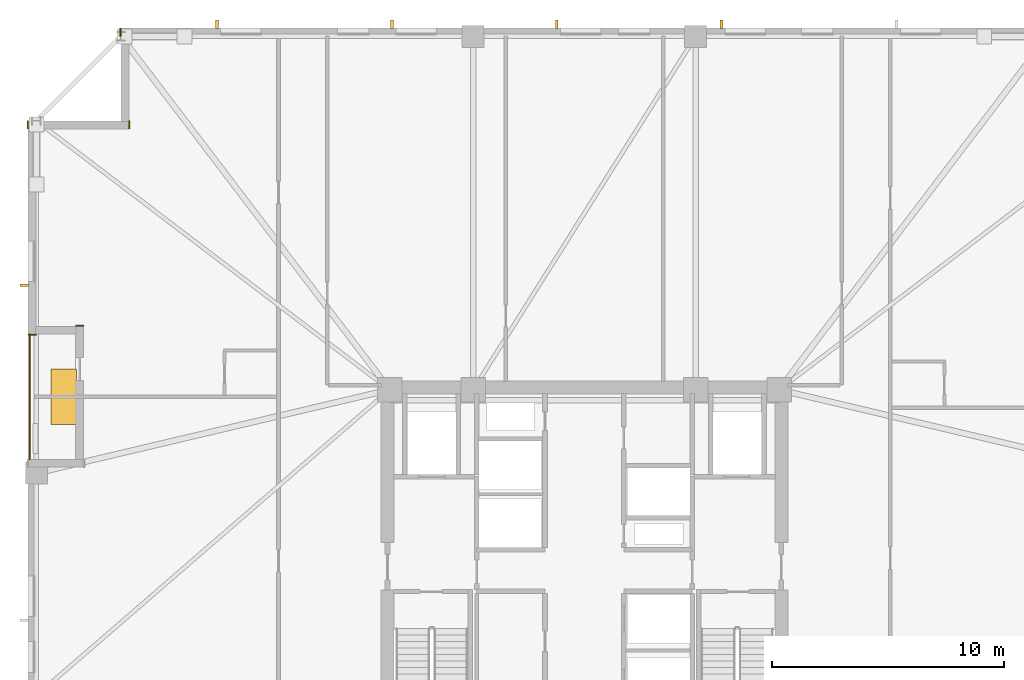
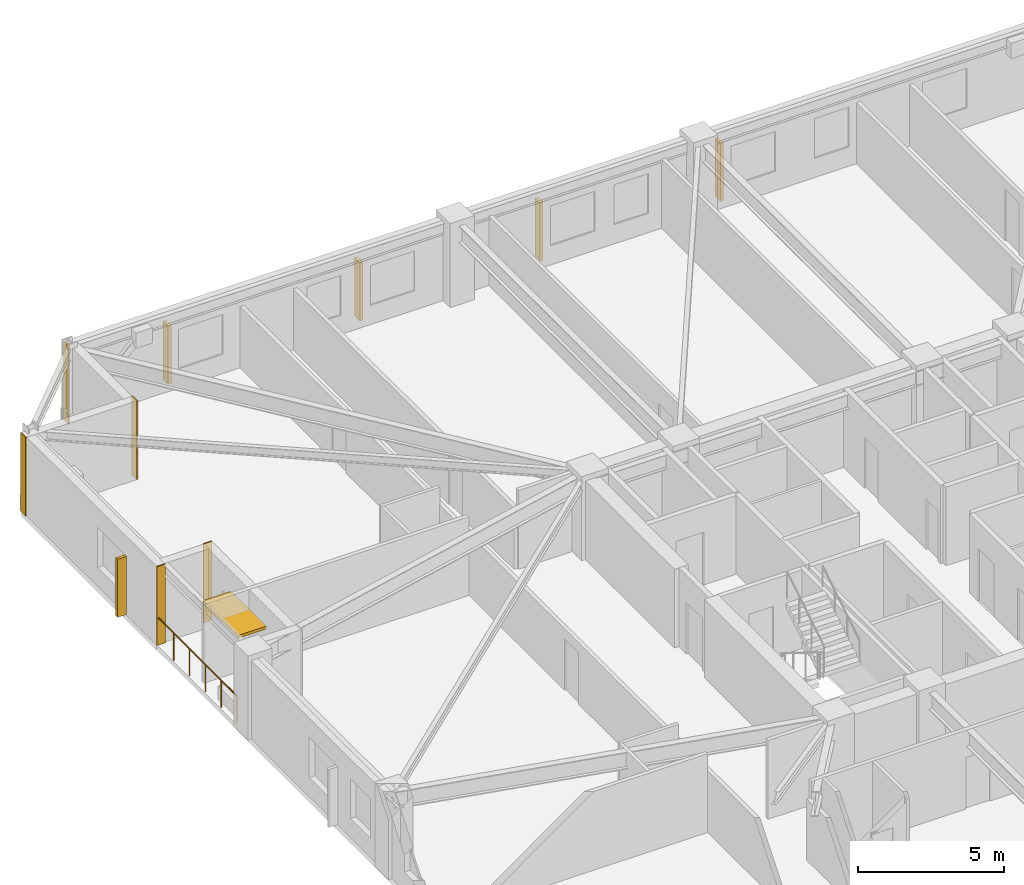
# One storey, part 9 of 10: 6 shading devices, 5 coverings, 1 railing.
"""IFC4 building model written with IfcOpenShell, lengths in metres."""

from ifc_helpers import new_model, si_unit, direction, frame, frame_2d, origin, origin_2d, place, context, subcontext, project, spatial, rectangle, circle, extrude, material, layer, layer_set, type_object, element, save


model = new_model("IFC4")

# Units and contexts
model_context = context("Model", 3, precision=1e-05, world=origin(), true_north=direction((0.0, 1.0)))
body_context = subcontext(model_context, "Body", "Model", "MODEL_VIEW")
ifc_project = project(units=[si_unit("LENGTHUNIT", "METRE"), si_unit("AREAUNIT", "SQUARE_METRE"), si_unit("VOLUMEUNIT", "CUBIC_METRE"), si_unit("PLANEANGLEUNIT", "RADIAN"), si_unit("MASSUNIT", "GRAM", prefix="KILO")], contexts=[model_context])

# Site, building, storey
site_placement = place(None, origin())
site = spatial("IfcSite", under=ifc_project, at=site_placement, CompositionType="ELEMENT")
building_placement = place(site_placement, origin())
building = spatial("IfcBuilding", under=site, at=building_placement, Name="Cairnveth Concourse Tower", CompositionType="ELEMENT")
storey_placement = place(building_placement, frame((0.0, 0.0, 109.5)))
storey = spatial("IfcBuildingStorey", under=building, at=storey_placement, Name="L29", CompositionType="ELEMENT", Elevation=109.5)

# Coverings
ifc_material_1 = material(Name="Dressed Melbourne Bluestone Cladding", Category="masonry")
ifc_layer = layer(ifc_material_1, 0.050048828125)
ifc_layer_set = layer_set([ifc_layer], Name="Dressed Melbourne Bluestone Cladding")
covering_type = type_object("IfcCoveringType", Name="DRESSED BLUESTONE PLINTH CLADDING 50", PredefinedType="CLADDING", material=ifc_layer_set)
for number, where, z_axis, x_axis, name in (
    (1, (28.340087890625, 49.780029296875, 0.0), (0.0, 0.0, 1.0), (-1.0, 0.0, 0.0), "Melbourne Bluestone Corner Quoin L29-403"),
    (2, (27.97998046875, 58.659912109375, 0.0), (0.0, 0.0, 1.0), (0.0, 1.0, 0.0), "Melbourne Bluestone Corner Quoin L29-404"),
    (3, (32.360107421875, 58.659912109375, 0.0), (0.0, 0.0, 1.0), (0.0, 1.0, 0.0), "Melbourne Bluestone Corner Quoin L29-405"),
    (4, (31.97998046875, 62.659912109375, 0.0), (0.0, 0.0, 1.0), (0.0, 1.0, 0.0), "Melbourne Bluestone Corner Quoin L29-406"),
):
    element("IfcCovering", number, at=place(storey_placement, frame(where, z_axis=z_axis, x_axis=x_axis)), inside=storey, type_object=covering_type, Name=name, PredefinedType="CLADDING", context=body_context, shape_type="SweptSolid", body=[
        extrude(rectangle(XDim=0.340087890625, YDim=0.050048828125, at=frame_2d((0.169921875, 0.0))), origin(), (0.0, 0.0, 1.0), 3.280029296875),
    ])
covering_placement = place(storey_placement, frame((30.389892578125, 50.159912109375, 0.0), z_axis=(0.0, 0.0, 1.0), x_axis=(-1.0, 0.0, 0.0)))
element("IfcCovering", 5, at=covering_placement, inside=storey, type_object=covering_type, Name="Melbourne Bluestone Corner Quoin L29-418", PredefinedType="CLADDING", context=body_context, shape_type="SweptSolid", body=[
    extrude(rectangle(XDim=0.33984375, YDim=0.050048828125, at=frame_2d((0.169921875, 0.0))), origin(), (0.0, 0.0, 1.0), 3.280029296875),
])

# Shading devices
ifc_material_2 = material(Name="Architectural Bronze Anodised Aluminium 6063-T6", Category="aluminium")
shading_device_type_1 = type_object("IfcShadingDeviceType", Name="GOTHIC BRONZE VERTICAL LANCET FIN", PredefinedType="USERDEFINED", material=ifc_material_2)
for number, where, z_axis, x_axis, name in (
    (6, (27.824951171875, 51.906005859375, 0.030029296875), (0.0, 0.0, 1.0), (0.0, 1.0, 0.0), "Gothic Bronze Vertical Fin L29-0-1"),
    (7, (36.141845703125, 63.175048828125, 0.030029296875), (0.0, 0.0, 1.0), (1.0, 0.0, 0.0), "Gothic Bronze Vertical Fin L29-3-1"),
    (8, (43.698974609375, 63.175048828125, 0.030029296875), (0.0, 0.0, 1.0), (1.0, 0.0, 0.0), "Gothic Bronze Vertical Fin L29-3-3"),
    (9, (50.805908203125, 63.175048828125, 0.030029296875), (0.0, 0.0, 1.0), (1.0, 0.0, 0.0), "Gothic Bronze Vertical Fin L29-3-5"),
    (10, (57.9130859375, 63.175048828125, 0.030029296875), (0.0, 0.0, 1.0), (1.0, 0.0, 0.0), "Gothic Bronze Vertical Fin L29-3-7"),
):
    element("IfcShadingDevice", number, at=place(storey_placement, frame(where, z_axis=z_axis, x_axis=x_axis)), inside=storey, type_object=shading_device_type_1, Name=name, ObjectType="VERTICAL FIN", PredefinedType="USERDEFINED", context=body_context, shape_type="SweptSolid", body=[
        extrude(rectangle(XDim=0.1201171875, YDim=0.360107421875, at=origin_2d()), origin(), (0.0, 0.0, 1.0), 2.419921875),
    ])
shading_device_type_2 = type_object("IfcShadingDeviceType", Name="SPIRAL TERRACE SUNSHADE CANOPY", PredefinedType="USERDEFINED", material=ifc_material_2)
shading_device_placement = place(storey_placement, frame((29.530029296875, 47.10009765625, 2.300048828125), z_axis=(0.0, 0.0, 1.0), x_axis=(1.0, 0.0, 0.0)))
element("IfcShadingDevice", 11, at=shading_device_placement, inside=storey, type_object=shading_device_type_2, Name="Spiral Terrace Sunshade L29", ObjectType="TERRACE SUNSHADE", PredefinedType="USERDEFINED", context=body_context, shape_type="SweptSolid", body=[
    extrude(rectangle(XDim=1.10009765625, YDim=2.39990234375, at=origin_2d()), origin(), (0.0, 0.0, 1.0), 0.1201171875),
])

# Railing
railing_type = type_object("IfcRailingType", Name="TERRACE BRONZE BALUSTRADE 1150", PredefinedType="BALUSTRADE", material=ifc_material_2)
railing_placement = place(storey_placement, frame((28.06005859375, 44.39990234375, 0.0)))
element("IfcRailing", 12, at=railing_placement, inside=storey, type_object=railing_type, Name="Terrace Balustrade RL-L29-TERR", PredefinedType="BALUSTRADE", context=body_context, shape_type="SweptSolid", body=[
    extrude(circle(Radius=0.02490234375, at=origin_2d()), frame((0.0, 0.0, 1.125), z_axis=(0.0, 1.0, 0.0), x_axis=(-1.0, 0.0, 0.0)), (0.0, 0.0, 1.0), 5.400146484375),
    extrude(circle(Radius=0.02099609375, at=origin_2d()), origin(), (0.0, 0.0, 1.0), 1.099853515625),
    extrude(circle(Radius=0.02099609375, at=origin_2d()), frame((0.0, 1.080078125, 0.0)), (0.0, 0.0, 1.0), 1.099853515625),
    extrude(circle(Radius=0.02099609375, at=origin_2d()), frame((0.0, 2.16015625, 0.0)), (0.0, 0.0, 1.0), 1.099853515625),
    extrude(circle(Radius=0.02099609375, at=origin_2d()), frame((0.0, 3.239990234375, 0.0)), (0.0, 0.0, 1.0), 1.099853515625),
    extrude(circle(Radius=0.02099609375, at=origin_2d()), frame((0.0, 4.320068359375, 0.0)), (0.0, 0.0, 1.0), 1.099853515625),
    extrude(circle(Radius=0.02099609375, at=origin_2d()), frame((0.0, 5.400146484375, 0.0)), (0.0, 0.0, 1.0), 1.099853515625),
])

save(model, "model.ifc")
